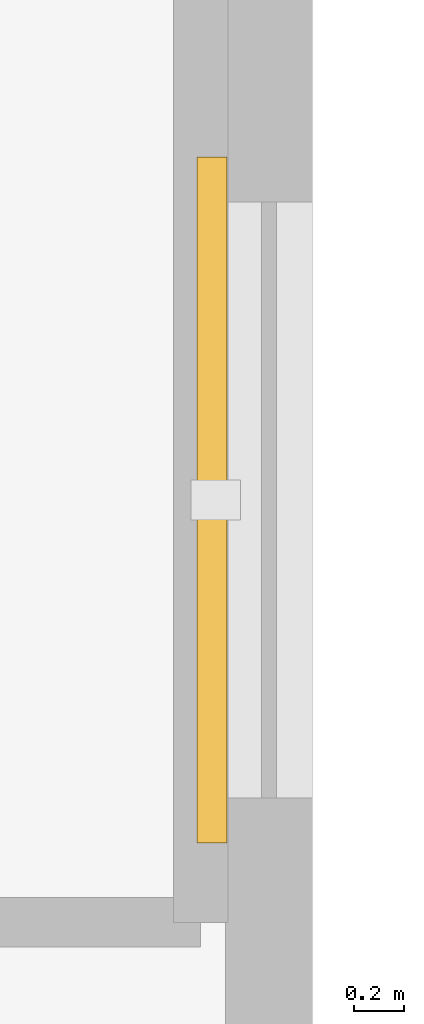
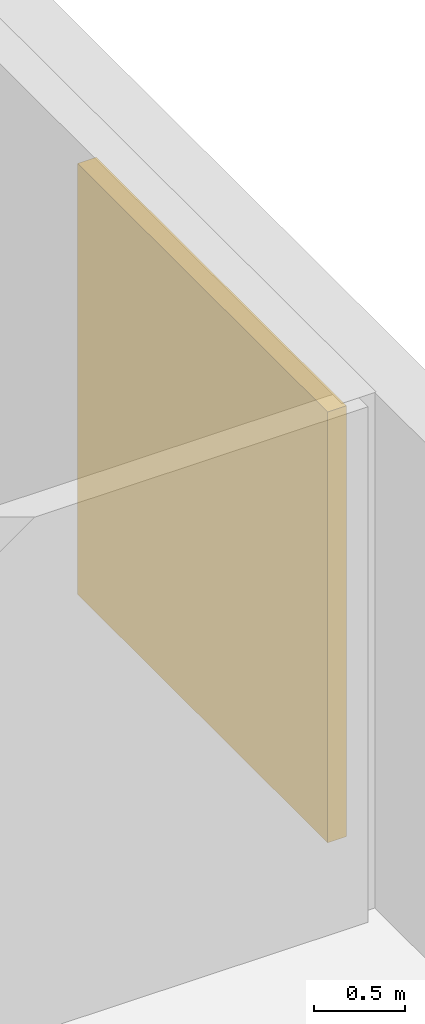
# One storey, part 16 of 16: 1 shading device.
"""IFC4 building model written with IfcOpenShell, lengths in metres."""

from ifc_helpers import new_model, si_unit, direction, frame, origin, origin_2d, place, context, subcontext, project, spatial, rectangle, extrude, material, layer, layer_set, type_object, element, save


model = new_model("IFC4")

# Units and contexts
model_context = context("Model", 3, precision=1e-05, world=origin(), true_north=direction((0.0, 1.0)))
body_context = subcontext(model_context, "Body", "Model", "MODEL_VIEW")
ifc_project = project(units=[si_unit("LENGTHUNIT", "METRE"), si_unit("AREAUNIT", "SQUARE_METRE"), si_unit("VOLUMEUNIT", "CUBIC_METRE"), si_unit("PLANEANGLEUNIT", "RADIAN"), si_unit("MASSUNIT", "GRAM", prefix="KILO")], contexts=[model_context])

# Site, building, storey
site_placement = place(None, origin())
site = spatial("IfcSite", under=ifc_project, at=site_placement, CompositionType="ELEMENT")
building_placement = place(site_placement, origin())
building = spatial("IfcBuilding", under=site, at=building_placement, Name="Koriwani Terraces Tower", CompositionType="ELEMENT")
storey_placement = place(building_placement, frame((0.0, 0.0, 245.300048828125)))
storey = spatial("IfcBuildingStorey", under=building, at=storey_placement, Name="L60", CompositionType="ELEMENT", Elevation=245.300048828125)

# Shading device
ifc_material = material(Name="Extruded Terracotta Clay", Category="masonry")
ifc_layer = layer(ifc_material, 0.1201171875, Name="Extruded Terracotta Clay")
ifc_layer_set = layer_set([ifc_layer], Name="Extruded Terracotta Clay")
shading_device_type = type_object("IfcShadingDeviceType", Name="TERRACOTTA_BAGUETTE_SCREEN_2800", PredefinedType="USERDEFINED", material=ifc_layer_set)
shading_device_placement = place(storey_placement, frame((33.195068359375, 63.0, 0.284912109375), z_axis=(0.0, 0.0, 1.0), x_axis=(0.0, -1.0, 0.0)))
element("IfcShadingDevice", 1, at=shading_device_placement, inside=storey, type_object=shading_device_type, Name="L60 Extruded Terracotta Baguette Screen (NW_IN-11)", ObjectType="BAGUETTE", PredefinedType="USERDEFINED", context=body_context, shape_type="SweptSolid", body=[
    extrude(rectangle(XDim=2.760009765625, YDim=0.1201171875, at=origin_2d()), origin(), (0.0, 0.0, 1.0), 2.89990234375),
])

save(model, "model.ifc")
